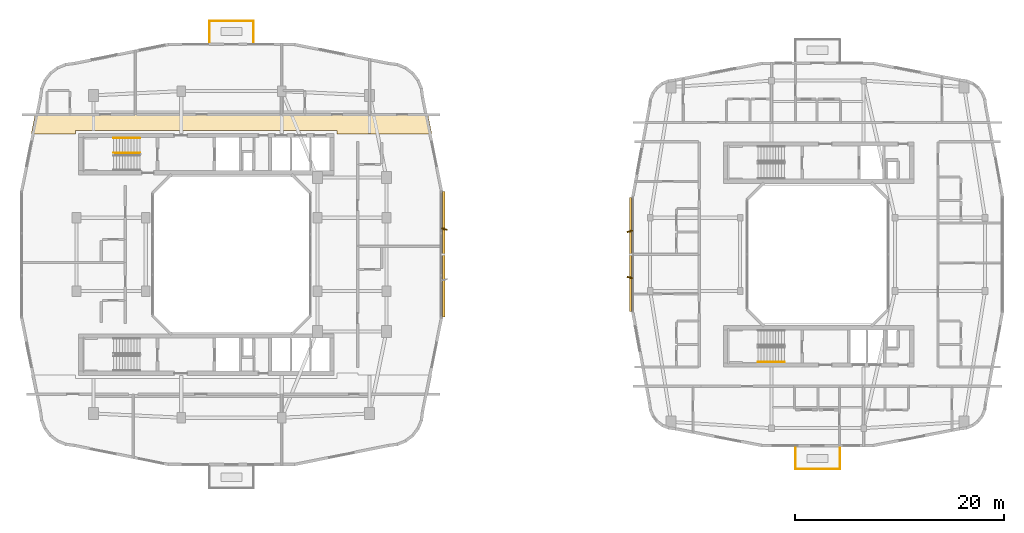
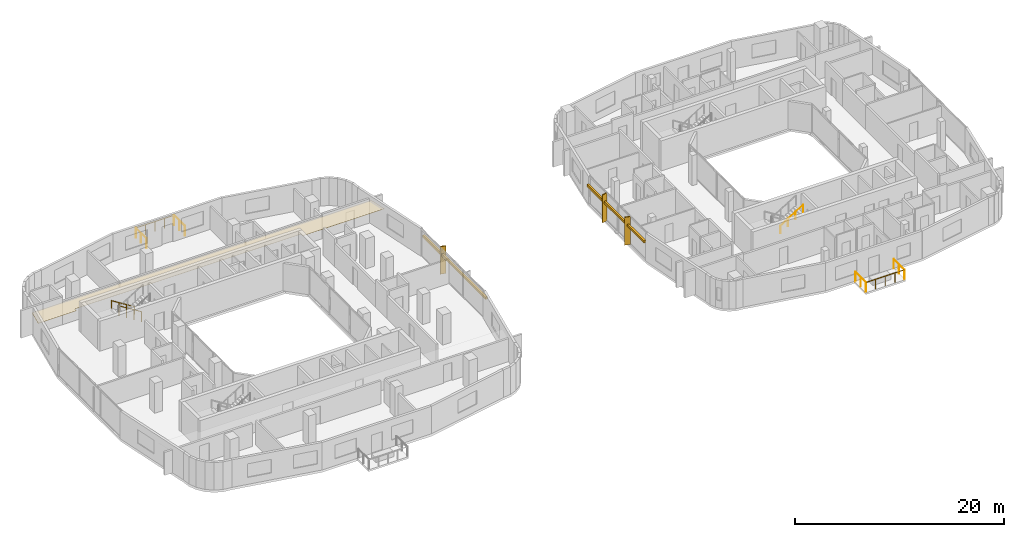
# One storey, part 21 of 22: 9 railings, 5 shading devices, 1 covering.
"""IFC4 building model written with IfcOpenShell, lengths in metres."""

from ifc_helpers import new_model, si_unit, derived_unit, direction, frame, origin, origin_2d, place, context, subcontext, project, spatial, polyline, rectangle, circle, outline, extrude, material, layer, layer_set, type_object, element, save


model = new_model("IFC4")

# Units and contexts
model_context = context("Model", 3, precision=1e-05, world=origin(), true_north=direction((0.0, 1.0)))
body_context = subcontext(model_context, "Body", "Model", "MODEL_VIEW")
ifc_project = project(units=[si_unit("LENGTHUNIT", "METRE"), si_unit("AREAUNIT", "SQUARE_METRE"), si_unit("VOLUMEUNIT", "CUBIC_METRE"), si_unit("PLANEANGLEUNIT", "RADIAN"), si_unit("MASSUNIT", "GRAM", prefix="KILO"), derived_unit("THERMALTRANSMITTANCEUNIT", [(si_unit("POWERUNIT", "WATT"), 1), (si_unit("LENGTHUNIT", "METRE"), -2), (si_unit("THERMODYNAMICTEMPERATUREUNIT", "KELVIN"), -1)])], contexts=[model_context])

# Site, building, storey
site_placement = place(None, origin())
site = spatial("IfcSite", under=ifc_project, at=site_placement, CompositionType="ELEMENT")
building_placement = place(site_placement, origin())
building = spatial("IfcBuilding", under=site, at=building_placement, Name="Kivonza Crest Hotel", CompositionType="ELEMENT")
storey_placement = place(building_placement, frame((0.0, 0.0, 112.5)))
storey = spatial("IfcBuildingStorey", under=building, at=storey_placement, Name="L30", CompositionType="ELEMENT", Elevation=112.5)

# Covering
ifc_material_1 = material(Name="Mineral-fibre acoustic ceiling tile", Category="gypsum")
ifc_layer = layer(ifc_material_1, 0.02490234375)
ifc_layer_set = layer_set([ifc_layer], Name="Mineral-fibre acoustic ceiling tile")
covering_type = type_object("IfcCoveringType", Name="CV-CEIL-ACOU", PredefinedType="CEILING", material=ifc_layer_set)
covering_placement = place(storey_placement, frame((0.0, 0.0, 2.449951171875)))
element("IfcCovering", 1, at=covering_placement, inside=storey, type_object=covering_type, Name="L30 Hotel North Guest Corridor suspended ceiling", PredefinedType="CEILING", context=body_context, shape_type="SweptSolid", body=[
    extrude(outline(polyline([(2.235107421875, 38.389892578125), (1.85791015625, 36.52001953125), (6.10009765625, 36.52001953125), (6.10009765625, 36.860107421875), (31.10009765625, 36.860107421875), (31.10009765625, 36.52001953125), (40.14208984375, 36.52001953125), (39.764892578125, 38.389892578125), (2.235107421875, 38.389892578125)])), origin(), (0.0, 0.0, 1.0), 0.025146484375),
])

# Railings
ifc_material_2 = material(Name="Brushed stainless steel handrail", Category="steel")
railing_type_1 = type_object("IfcRailingType", Name="RL-HAND-900", PredefinedType="HANDRAIL", material=ifc_material_2)
railing_1_placement = place(storey_placement, frame((12.239990234375, 36.110107421875, 0.175048828125)))
element("IfcRailing", 2, at=railing_1_placement, inside=storey, type_object=railing_type_1, Name="L30 ST-T1-N stair handrail 1", PredefinedType="HANDRAIL", context=body_context, shape_type="SweptSolid", body=[
    extrude(circle(Radius=0.02392578125, at=origin_2d()), frame((0.0, 0.0, 0.8759765625), z_axis=(-0.848007534815, 0.0, 0.529984170421), x_axis=(0.0, -1.0, 0.0)), (0.0, 0.0, 1.0), 2.9716796875),
    extrude(circle(Radius=0.02099609375, at=origin_2d()), origin(), (0.0, 0.0, 1.0), 0.851806640625),
    extrude(circle(Radius=0.02099609375, at=origin_2d()), frame((-0.840087890625, 0.0, 0.52490234375)), (0.0, 0.0, 1.0), 0.851806640625),
    extrude(circle(Radius=0.02099609375, at=origin_2d()), frame((-1.679931640625, 0.0, 1.050048828125)), (0.0, 0.0, 1.0), 0.851806640625),
    extrude(circle(Radius=0.02099609375, at=origin_2d()), frame((-2.52001953125, 0.0, 1.574951171875)), (0.0, 0.0, 1.0), 0.851806640625),
])
railing_2_placement = place(storey_placement, frame((71.320068359375, 14.7099609375, 1.925048828125)))
element("IfcRailing", 3, at=railing_2_placement, inside=storey, type_object=railing_type_1, Name="L30 ST-T2-S stair handrail 2", PredefinedType="HANDRAIL", context=body_context, shape_type="SweptSolid", body=[
    extrude(circle(Radius=0.02392578125, at=origin_2d()), frame((0.0, 0.0, 0.8759765625), z_axis=(0.848007534815, 0.0, 0.529984170421), x_axis=(0.0, 1.0, 0.0)), (0.0, 0.0, 1.0), 2.9716796875),
    extrude(circle(Radius=0.02099609375, at=origin_2d()), origin(), (0.0, 0.0, 1.0), 0.851806640625),
    extrude(circle(Radius=0.02099609375, at=origin_2d()), frame((0.840087890625, 0.0, 0.52490234375)), (0.0, 0.0, 1.0), 0.851806640625),
    extrude(circle(Radius=0.02099609375, at=origin_2d()), frame((1.679931640625, 0.0, 1.050048828125)), (0.0, 0.0, 1.0), 0.851806640625),
    extrude(circle(Radius=0.02099609375, at=origin_2d()), frame((2.52001953125, 0.0, 1.574951171875)), (0.0, 0.0, 1.0), 0.851806640625),
])
ifc_material_3 = material(Name="Painted steel balustrade", Category="steel")
railing_type_2 = type_object("IfcRailingType", Name="RL-STAIR-1150", PredefinedType="BALUSTRADE", material=ifc_material_3)
railing_3_placement = place(storey_placement, frame((12.239990234375, 34.7099609375, 0.175048828125)))
element("IfcRailing", 4, at=railing_3_placement, inside=storey, type_object=railing_type_2, Name="L30 ST-T1-N stair guard 1", PredefinedType="BALUSTRADE", context=body_context, shape_type="SweptSolid", body=[
    extrude(circle(Radius=0.02392578125, at=origin_2d()), frame((0.0, 0.0, 1.1259765625), z_axis=(-0.848007534815, 0.0, 0.529984170421), x_axis=(0.0, -1.0, 0.0)), (0.0, 0.0, 1.0), 2.9716796875),
    extrude(circle(Radius=0.02099609375, at=origin_2d()), origin(), (0.0, 0.0, 1.0), 1.101806640625),
    extrude(circle(Radius=0.02099609375, at=origin_2d()), frame((-0.840087890625, 0.0, 0.52490234375)), (0.0, 0.0, 1.0), 1.101806640625),
    extrude(circle(Radius=0.02099609375, at=origin_2d()), frame((-1.679931640625, 0.0, 1.050048828125)), (0.0, 0.0, 1.0), 1.101806640625),
    extrude(circle(Radius=0.02099609375, at=origin_2d()), frame((-2.52001953125, 0.0, 1.574951171875)), (0.0, 0.0, 1.0), 1.101806640625),
])
ifc_material_4 = material(Name="Laminated glass and stainless steel balustrade", Category="steel")
railing_type_3 = type_object("IfcRailingType", Name="RL-TERR-1150", PredefinedType="BALUSTRADE", material=ifc_material_4)
railing_4_placement = place(storey_placement, frame((18.8798828125, 45.280029296875, 0.0)))
element("IfcRailing", 5, at=railing_4_placement, inside=storey, type_object=railing_type_3, Name="L30 T1-L30-SG-NE perimeter safety balustrade 1", PredefinedType="BALUSTRADE", context=body_context, shape_type="SweptSolid", body=[
    extrude(circle(Radius=0.02392578125, at=origin_2d()), frame((0.0, 0.0, 1.1259765625), z_axis=(0.0, 1.0, 0.0), x_axis=(-1.0, 0.0, 0.0)), (0.0, 0.0, 1.0), 2.0400390625),
    extrude(circle(Radius=0.02099609375, at=origin_2d()), origin(), (0.0, 0.0, 1.0), 1.101806640625),
    extrude(circle(Radius=0.02099609375, at=origin_2d()), frame((0.0, 1.02001953125, 0.0)), (0.0, 0.0, 1.0), 1.101806640625),
    extrude(circle(Radius=0.02099609375, at=origin_2d()), frame((0.0, 2.0400390625, 0.0)), (0.0, 0.0, 1.0), 1.101806640625),
])
railing_5_placement = place(storey_placement, frame((18.8798828125, 47.320068359375, 0.0)))
element("IfcRailing", 6, at=railing_5_placement, inside=storey, type_object=railing_type_3, Name="L30 T1-L30-SG-NE perimeter safety balustrade 2", PredefinedType="BALUSTRADE", context=body_context, shape_type="SweptSolid", body=[
    extrude(circle(Radius=0.02392578125, at=origin_2d()), frame((0.0, 0.0, 1.1259765625), z_axis=(1.0, 0.0, 0.0), x_axis=(0.0, 1.0, 0.0)), (0.0, 0.0, 1.0), 4.240234375),
    extrude(circle(Radius=0.02099609375, at=origin_2d()), origin(), (0.0, 0.0, 1.0), 1.101806640625),
    extrude(circle(Radius=0.02099609375, at=origin_2d()), frame((1.06005859375, 0.0, 0.0)), (0.0, 0.0, 1.0), 1.101806640625),
    extrude(circle(Radius=0.02099609375, at=origin_2d()), frame((2.1201171875, 0.0, 0.0)), (0.0, 0.0, 1.0), 1.101806640625),
    extrude(circle(Radius=0.02099609375, at=origin_2d()), frame((3.18017578125, 0.0, 0.0)), (0.0, 0.0, 1.0), 1.101806640625),
    extrude(circle(Radius=0.02099609375, at=origin_2d()), frame((4.240234375, 0.0, 0.0)), (0.0, 0.0, 1.0), 1.101806640625),
])
railing_6_placement = place(storey_placement, frame((23.1201171875, 47.320068359375, 0.0)))
element("IfcRailing", 7, at=railing_6_placement, inside=storey, type_object=railing_type_3, Name="L30 T1-L30-SG-NE perimeter safety balustrade 3", PredefinedType="BALUSTRADE", context=body_context, shape_type="SweptSolid", body=[
    extrude(circle(Radius=0.02392578125, at=origin_2d()), frame((0.0, 0.0, 1.1259765625), z_axis=(0.0, -1.0, 0.0), x_axis=(1.0, 0.0, 0.0)), (0.0, 0.0, 1.0), 2.0400390625),
    extrude(circle(Radius=0.02099609375, at=origin_2d()), origin(), (0.0, 0.0, 1.0), 1.101806640625),
    extrude(circle(Radius=0.02099609375, at=origin_2d()), frame((0.0, -1.02001953125, 0.0)), (0.0, 0.0, 1.0), 1.101806640625),
    extrude(circle(Radius=0.02099609375, at=origin_2d()), frame((0.0, -2.0400390625, 0.0)), (0.0, 0.0, 1.0), 1.101806640625),
])
railing_7_placement = place(storey_placement, frame((74.8798828125, 4.47998046875, 0.0)))
element("IfcRailing", 8, at=railing_7_placement, inside=storey, type_object=railing_type_3, Name="L30 T2-L30-SG-SW perimeter safety balustrade 1", PredefinedType="BALUSTRADE", context=body_context, shape_type="SweptSolid", body=[
    extrude(circle(Radius=0.02392578125, at=origin_2d()), frame((0.0, 0.0, 1.1259765625), z_axis=(0.0, 1.0, 0.0), x_axis=(-1.0, 0.0, 0.0)), (0.0, 0.0, 1.0), 2.0400390625),
    extrude(circle(Radius=0.02099609375, at=origin_2d()), origin(), (0.0, 0.0, 1.0), 1.101806640625),
    extrude(circle(Radius=0.02099609375, at=origin_2d()), frame((0.0, 1.02001953125, 0.0)), (0.0, 0.0, 1.0), 1.101806640625),
    extrude(circle(Radius=0.02099609375, at=origin_2d()), frame((0.0, 2.0400390625, 0.0)), (0.0, 0.0, 1.0), 1.101806640625),
])
railing_8_placement = place(storey_placement, frame((79.1201171875, 6.52001953125, 0.0)))
element("IfcRailing", 9, at=railing_8_placement, inside=storey, type_object=railing_type_3, Name="L30 T2-L30-SG-SW perimeter safety balustrade 2", PredefinedType="BALUSTRADE", context=body_context, shape_type="SweptSolid", body=[
    extrude(circle(Radius=0.02392578125, at=origin_2d()), frame((0.0, 0.0, 1.1259765625), z_axis=(0.0, -1.0, 0.0), x_axis=(1.0, 0.0, 0.0)), (0.0, 0.0, 1.0), 2.0400390625),
    extrude(circle(Radius=0.02099609375, at=origin_2d()), origin(), (0.0, 0.0, 1.0), 1.101806640625),
    extrude(circle(Radius=0.02099609375, at=origin_2d()), frame((0.0, -1.02001953125, 0.0)), (0.0, 0.0, 1.0), 1.101806640625),
    extrude(circle(Radius=0.02099609375, at=origin_2d()), frame((0.0, -2.0400390625, 0.0)), (0.0, 0.0, 1.0), 1.101806640625),
])
railing_9_placement = place(storey_placement, frame((79.1201171875, 4.47998046875, 0.0)))
element("IfcRailing", 10, at=railing_9_placement, inside=storey, type_object=railing_type_3, Name="L30 T2-L30-SG-SW perimeter safety balustrade 3", PredefinedType="BALUSTRADE", context=body_context, shape_type="SweptSolid", body=[
    extrude(circle(Radius=0.02392578125, at=origin_2d()), frame((0.0, 0.0, 1.1259765625), z_axis=(-1.0, 0.0, 0.0), x_axis=(0.0, -1.0, 0.0)), (0.0, 0.0, 1.0), 4.240234375),
    extrude(circle(Radius=0.02099609375, at=origin_2d()), origin(), (0.0, 0.0, 1.0), 1.101806640625),
    extrude(circle(Radius=0.02099609375, at=origin_2d()), frame((-1.06005859375, 0.0, 0.0)), (0.0, 0.0, 1.0), 1.101806640625),
    extrude(circle(Radius=0.02099609375, at=origin_2d()), frame((-2.1201171875, 0.0, 0.0)), (0.0, 0.0, 1.0), 1.101806640625),
    extrude(circle(Radius=0.02099609375, at=origin_2d()), frame((-3.18017578125, 0.0, 0.0)), (0.0, 0.0, 1.0), 1.101806640625),
    extrude(circle(Radius=0.02099609375, at=origin_2d()), frame((-4.240234375, 0.0, 0.0)), (0.0, 0.0, 1.0), 1.101806640625),
])

# Shading devices
ifc_material_5 = material(Name="Kiln-fired Nairobi red-ochre terracotta", Category="masonry")
shading_device_type_1 = type_object("IfcShadingDeviceType", Name="SH-BAGUETTE-300", PredefinedType="USERDEFINED", material=ifc_material_5)
shading_device_1_placement = place(storey_placement, frame((41.280029296875, 25.0, 2.1240234375), z_axis=(0.0, 0.0, 1.0), x_axis=(0.0, 1.0, 0.0)))
element("IfcShadingDevice", 11, at=shading_device_1_placement, inside=storey, type_object=shading_device_type_1, Name="L30 terracotta baguette screen CW-T1-L30-17", ObjectType="BAGUETTE", PredefinedType="USERDEFINED", context=body_context, shape_type="SweptSolid", body=[
    extrude(rectangle(XDim=12.0, YDim=0.219970703125, at=origin_2d()), origin(), (0.0, 0.0, 1.0), 0.260009765625),
])
shading_device_2_placement = place(storey_placement, frame((59.1201171875, 25.0, 2.14501953125), z_axis=(0.0, 0.0, 1.0), x_axis=(0.0, -1.0, 0.0)))
element("IfcShadingDevice", 12, at=shading_device_2_placement, inside=storey, type_object=shading_device_type_1, Name="L30 terracotta baguette screen CW-T2-L30-35", ObjectType="BAGUETTE", PredefinedType="USERDEFINED", context=body_context, shape_type="SweptSolid", body=[
    extrude(rectangle(XDim=10.919921875, YDim=0.219970703125, at=origin_2d()), origin(), (0.0, 0.0, 1.0), 0.260009765625),
])
ifc_material_6 = material(Name="Kiln-fired terracotta over extruded aluminium spine", Category="masonry")
shading_device_type_2 = type_object("IfcShadingDeviceType", Name="SH-FIN-550", PredefinedType="USERDEFINED", material=ifc_material_6)
shading_device_3_placement = place(storey_placement, frame((41.340087890625, 27.424072265625, 0.0), z_axis=(0.0, 0.0, 1.0), x_axis=(0.2419218956, 0.970295726276, 0.0)))
element("IfcShadingDevice", 13, at=shading_device_3_placement, inside=storey, type_object=shading_device_type_2, Name="L30 vertical solar shading fin CW-T1-L30-17-2", ObjectType="FIN", PredefinedType="USERDEFINED", context=body_context, shape_type="SweptSolid", body=[
    extrude(rectangle(XDim=0.1201171875, YDim=0.550048828125, at=origin_2d()), origin(), (0.0, 0.0, 1.0), 3.219970703125),
])
for number, where, z_axis, x_axis, name in (
    (14, (59.06005859375, 27.2080078125, 0.0), (0.0, 0.0, 1.0), (0.2419218956, -0.970295726276, 0.0), "L30 vertical solar shading fin CW-T2-L30-35-1"),
    (15, (59.06005859375, 22.7919921875, 0.0), (0.0, 0.0, 1.0), (-0.2419218956, -0.970295726276, 0.0), "L30 vertical solar shading fin CW-T2-L30-35-2"),
):
    element("IfcShadingDevice", number, at=place(storey_placement, frame(where, z_axis=z_axis, x_axis=x_axis)), inside=storey, type_object=shading_device_type_2, Name=name, ObjectType="FIN", PredefinedType="USERDEFINED", context=body_context, shape_type="SweptSolid", body=[
        extrude(rectangle(XDim=0.1201171875, YDim=0.550048828125, at=origin_2d()), origin(), (0.0, 0.0, 1.0), 3.25),
    ])

save(model, "model.ifc")
